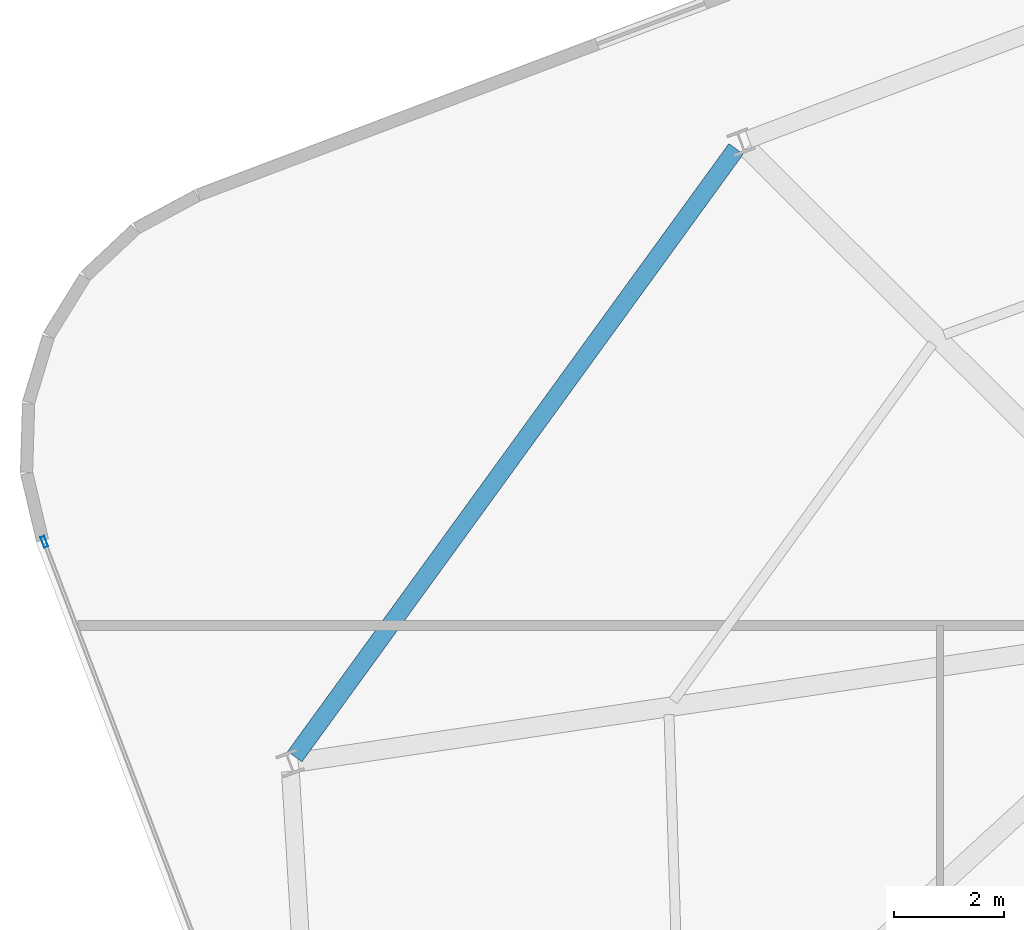
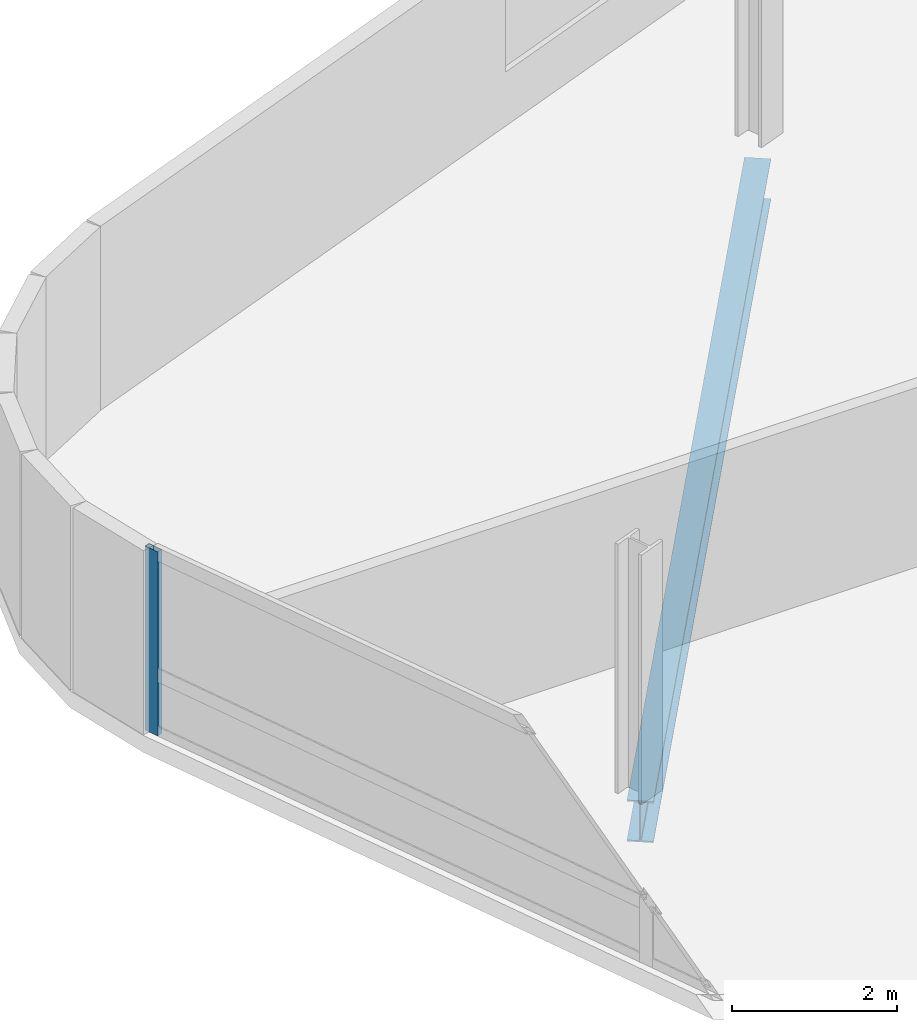
# One storey, part 10 of 23: 1 beam, 1 member, 1 element without a shape of its own.
"""IFC4 building model written with IfcOpenShell, lengths in metres."""

from ifc_helpers import new_model, si_unit, direction, frame, origin, origin_2d, place, context, subcontext, project, spatial, hollow_rectangle, i_section, extrude, material, layer, layer_set, material_profile, profile_set, type_object, element, aggregate, save


model = new_model("IFC4")

# Units and contexts
model_context = context("Model", 3, precision=1e-05, world=origin(), true_north=direction((0.0, 1.0)))
body_context = subcontext(model_context, "Body", "Model", "MODEL_VIEW")
ifc_project = project(units=[si_unit("LENGTHUNIT", "METRE"), si_unit("AREAUNIT", "SQUARE_METRE"), si_unit("VOLUMEUNIT", "CUBIC_METRE"), si_unit("PLANEANGLEUNIT", "RADIAN"), si_unit("MASSUNIT", "GRAM", prefix="KILO")], contexts=[model_context])

# Site, building, storey
site_placement = place(None, origin())
site = spatial("IfcSite", under=ifc_project, at=site_placement, CompositionType="ELEMENT")
building_placement = place(site_placement, origin())
building = spatial("IfcBuilding", under=site, at=building_placement, Name="Varnelok Gate Tower", CompositionType="ELEMENT")
storey_placement = place(building_placement, frame((0.0, 0.0, 227.5)))
storey = spatial("IfcBuildingStorey", under=building, at=storey_placement, Name="L58", CompositionType="ELEMENT", Elevation=227.5)

# Beam
ifc_material_1 = material(Name="Structural Steel ASTM A992 Grade 50", Category="steel")
ifc_material_profile_1 = material_profile(ifc_material_1, i_section(OverallWidth=0.323974609375, OverallDepth=0.611083984375, WebThickness=0.0126953125, FlangeThickness=0.01904296875, FilletRadius=0.01806640625, at=origin_2d()), Name="W24X104")
ifc_profile_set_1 = profile_set([ifc_material_profile_1], Name="Structural Steel ASTM A992 Grade 50")
beam_type = type_object("IfcBeamType", Name="BM-SPN-W24X104", PredefinedType="SPANDREL", material=ifc_profile_set_1)
beam_placement = place(storey_placement, frame((15.479736328125, 35.35009765625, -0.555419921875), z_axis=(-0.587549324529, -0.80918835338, 0.0), x_axis=(0.80918835338, -0.587549324529, 0.0)))
element("IfcBeam", 1, at=beam_placement, inside=storey, type_object=beam_type, Name="L58 Perimeter Spandrel Beam 13", PredefinedType="SPANDREL", context=body_context, shape_type="SweptSolid", body=[
    extrude(i_section(OverallWidth=0.323974609375, OverallDepth=0.611083984375, WebThickness=0.0126953125, FlangeThickness=0.01904296875, FilletRadius=0.01806640625, at=origin_2d()), origin(), (0.0, 0.0, 1.0), 13.6953125),
])

# Curtain wall, member
ifc_material_2 = material(Name="Anodized Aluminum Alloy 6063-T6", Category="aluminium")
ifc_layer = layer(ifc_material_2, 0.179931640625)
ifc_layer_set = layer_set([ifc_layer], Name="Anodized Aluminum Alloy 6063-T6")
curtain_wall_type = type_object("IfcCurtainWallType", Name="CW4-RESIDENCE-VISION", PredefinedType="USERDEFINED", material=ifc_layer_set)
curtain_wall_placement = place(storey_placement, origin())
curtain_wall = element("IfcCurtainWall", 2, at=curtain_wall_placement, inside=storey, type_object=curtain_wall_type, Name="L58 West End Vision Curtain Wall", ObjectType="UNITISED CURTAIN WALL", PredefinedType="USERDEFINED")
ifc_material_profile_2 = material_profile(ifc_material_2, hollow_rectangle(XDim=0.074951171875, YDim=0.199951171875, WallThickness=0.00390625, at=origin_2d()), Name="ALU200X75X4")
ifc_profile_set_2 = profile_set([ifc_material_profile_2], Name="Anodized Aluminum Alloy 6063-T6")
member_type = type_object("IfcMemberType", Name="CW-MULL-200", PredefinedType="MULLION", material=ifc_profile_set_2)
member_placement = place(storey_placement, frame((2.864990234375, 28.1845703125, 0.0), z_axis=(0.0, 0.0, 1.0), x_axis=(-0.935221557832, -0.354063042079, 0.0)))
member = element("IfcMember", 3, at=member_placement, type_object=member_type, Name="CW4 mullion 5", PredefinedType="MULLION", context=body_context, shape_type="SweptSolid", body=[
    extrude(hollow_rectangle(XDim=0.074951171875, YDim=0.199951171875, WallThickness=0.00390625, at=origin_2d()), origin(), (0.0, 0.0, 1.0), 2.72998046875),
])
aggregate(curtain_wall, [member])

save(model, "model.ifc")
